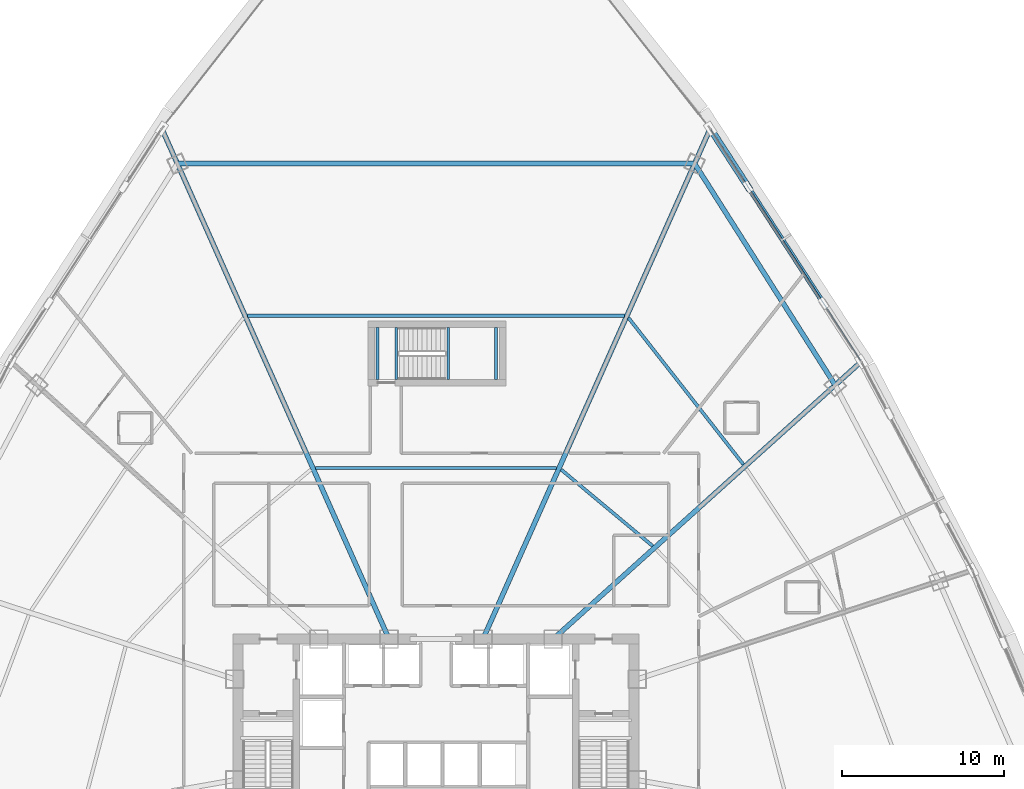
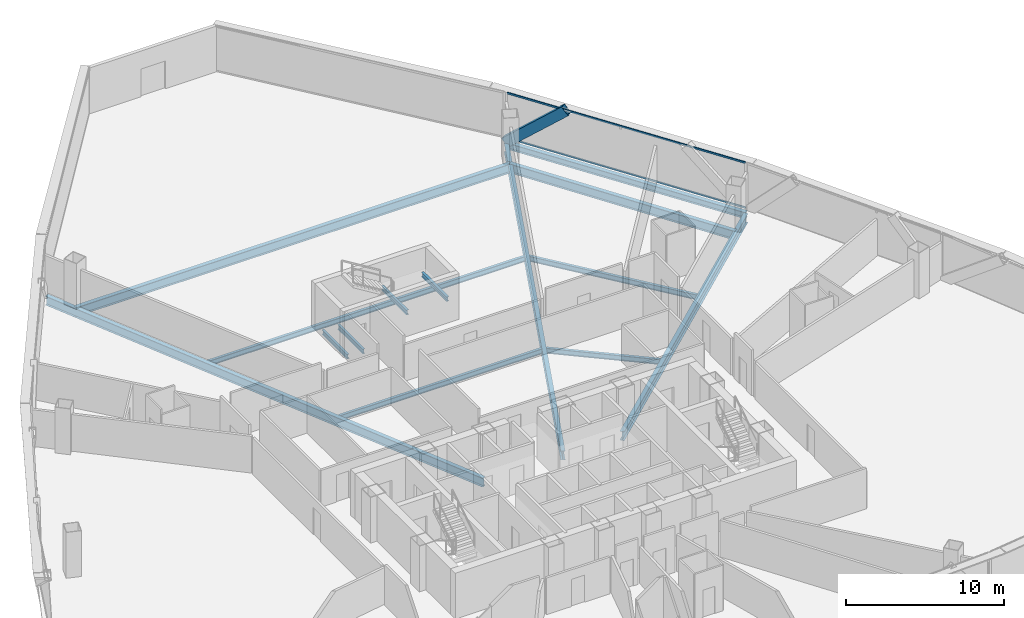
# One storey, part 17 of 38: 14 beams, 3 members, 1 element without a shape of its own.
"""IFC4 building model written with IfcOpenShell, lengths in metres."""

from ifc_helpers import new_model, si_unit, direction, frame, origin, origin_2d, place, context, subcontext, project, spatial, hollow_rectangle, i_section, extrude, source, transform, mapped, material, layer, layer_set, material_profile, profile_set, type_object, element, aggregate, save


model = new_model("IFC4")

# Units and contexts
model_context = context("Model", 3, precision=1e-05, world=origin(), true_north=direction((0.0, 1.0)))
body_context = subcontext(model_context, "Body", "Model", "MODEL_VIEW")
ifc_project = project(units=[si_unit("LENGTHUNIT", "METRE"), si_unit("AREAUNIT", "SQUARE_METRE"), si_unit("VOLUMEUNIT", "CUBIC_METRE"), si_unit("PLANEANGLEUNIT", "RADIAN"), si_unit("MASSUNIT", "GRAM", prefix="KILO"), si_unit("THERMODYNAMICTEMPERATUREUNIT", "KELVIN"), si_unit("POWERUNIT", "WATT")], contexts=[model_context])

# Site, building, storey
site_placement = place(None, origin())
site = spatial("IfcSite", under=ifc_project, at=site_placement, CompositionType="ELEMENT")
building_placement = place(site_placement, origin())
building = spatial("IfcBuilding", under=site, at=building_placement, Name="Yunzhuo Pagoda Commons", CompositionType="ELEMENT")
storey_placement = place(building_placement, frame((0.0, 0.0, 81.179931640625)))
storey = spatial("IfcBuildingStorey", under=building, at=storey_placement, Name="L20", CompositionType="ELEMENT", Elevation=81.179931640625)

# Beams
ifc_material_1 = material(Name="Structural steel Q355B", Category="steel")
ifc_material_profile_1 = material_profile(ifc_material_1, i_section(OverallWidth=0.175048828125, OverallDepth=0.35009765625, WebThickness=0.007080078125, FlangeThickness=0.010986328125, at=origin_2d()), Name="Structural steel Q355B")
ifc_profile_set_1 = profile_set([ifc_material_profile_1], Name="Structural steel Q355B")
beam_type_1 = type_object("IfcBeamType", Name="B-JS2 Joist HN 350x175x7x11", PredefinedType="JOIST", material=ifc_profile_set_1)
shared_shape_1 = source(origin(), body_context, "Body", "SweptSolid", [
    extrude(i_section(OverallWidth=0.175048828125, OverallDepth=0.35009765625, WebThickness=0.007080078125, FlangeThickness=0.010986328125, at=origin_2d()), origin(), (0.0, 0.0, 1.0), 3.199951171875),
])
for number, where, z_axis, x_axis, name in (
    (1, (48.75, 56.199951171875, 1.525146484375), (0.0, 1.0, 0.0), (-1.0, 0.0, 0.0), "L20 ST3 landing support beam 26A"),
    (2, (51.699951171875, 56.199951171875, 1.525146484375), (0.0, 1.0, 0.0), (-1.0, 0.0, 0.0), "L20 ST3 landing support beam 26B"),
    (3, (44.39990234375, 56.199951171875, -0.375), (0.0, 1.0, 0.0), (-1.0, 0.0, 0.0), "L20 ST3 landing support beam 94A"),
    (4, (45.550048828125, 56.199951171875, -0.375), (0.0, 1.0, 0.0), (-1.0, 0.0, 0.0), "L20 ST3 landing support beam 94B"),
):
    element("IfcBeam", number, at=place(storey_placement, frame(where, z_axis=z_axis, x_axis=x_axis)), inside=storey, type_object=beam_type_1, Name=name, PredefinedType="JOIST", context=body_context, shape_type="MappedRepresentation", body=[
        mapped(shared_shape_1, transform((0.0, 0.0, 0.0), scale=1.0)),
    ])
ifc_material_profile_2 = material_profile(ifc_material_1, i_section(OverallWidth=0.300048828125, OverallDepth=0.488037109375, WebThickness=0.010986328125, FlangeThickness=0.01806640625, at=origin_2d()), Name="Structural steel Q355B")
ifc_profile_set_2 = profile_set([ifc_material_profile_2], Name="Structural steel Q355B")
beam_type_2 = type_object("IfcBeamType", Name="B-SP1 Beam HM 488x300x11x18", PredefinedType="BEAM", material=ifc_profile_set_2)
shared_shape_2 = source(origin(), body_context, "Body", "SweptSolid", [
    extrude(i_section(OverallWidth=0.300048828125, OverallDepth=0.488037109375, WebThickness=0.010986328125, FlangeThickness=0.01806640625, at=origin_2d()), origin(), (0.0, 0.0, 1.0), 17.115966796875),
])
beam_1_placement = place(storey_placement, frame((74.2197265625, 57.308349609375, -0.50390625), z_axis=(-0.544271692391, 0.83890900869, 0.0), x_axis=(-0.83890900869, -0.544271692391, 0.0)))
element("IfcBeam", 5, at=beam_1_placement, inside=storey, type_object=beam_type_2, Name="L20 facade edge spandrel beam F2.3", PredefinedType="BEAM", context=body_context, shape_type="MappedRepresentation", body=[
    mapped(shared_shape_2, transform((0.0, 0.0, 0.0), scale=1.0)),
])
ifc_material_profile_3 = material_profile(ifc_material_1, i_section(OverallWidth=0.300048828125, OverallDepth=0.699951171875, WebThickness=0.012939453125, FlangeThickness=0.02392578125, at=origin_2d()), Name="Structural steel Q355B")
ifc_profile_set_3 = profile_set([ifc_material_profile_3], Name="Structural steel Q355B")
beam_type_3 = type_object("IfcBeamType", Name="B-RG1 Beam HN 700x300x13x24", PredefinedType="BEAM", material=ifc_profile_set_3)
shared_shape_3 = source(origin(), body_context, "Body", "SweptSolid", [
    extrude(i_section(OverallWidth=0.300048828125, OverallDepth=0.699951171875, WebThickness=0.012939453125, FlangeThickness=0.02392578125, at=origin_2d()), origin(), (0.0, 0.0, 1.0), 16.16845703125),
])
beam_2_placement = place(storey_placement, frame((72.602783203125, 55.852294921875, -0.60986328125), z_axis=(-0.535695673154, 0.844411123662, 0.0), x_axis=(-0.844411123662, -0.535695673154, 0.0)))
element("IfcBeam", 6, at=beam_2_placement, inside=storey, type_object=beam_type_3, Name="L20 column-ring beam 7", PredefinedType="BEAM", context=body_context, shape_type="MappedRepresentation", body=[
    mapped(shared_shape_3, transform((0.0, 0.0, 0.0), scale=1.0)),
])
shared_shape_4 = source(origin(), body_context, "Body", "SweptSolid", [
    extrude(i_section(OverallWidth=0.300048828125, OverallDepth=0.699951171875, WebThickness=0.012939453125, FlangeThickness=0.02392578125, at=origin_2d()), origin(), (0.0, 0.0, 1.0), 31.8828125),
])
beam_3_placement = place(storey_placement, frame((63.94140625, 69.505126953125, -0.60986328125), z_axis=(-1.0, 0.0, 0.0), x_axis=(0.0, -1.0, 0.0)))
element("IfcBeam", 7, at=beam_3_placement, inside=storey, type_object=beam_type_3, Name="L20 column-ring beam 8", PredefinedType="BEAM", context=body_context, shape_type="MappedRepresentation", body=[
    mapped(shared_shape_4, transform((0.0, 0.0, 0.0), scale=1.0)),
])
shared_shape_5 = source(origin(), body_context, "Body", "SweptSolid", [
    extrude(i_section(OverallWidth=0.300048828125, OverallDepth=0.699951171875, WebThickness=0.012939453125, FlangeThickness=0.02392578125, at=origin_2d()), origin(), (0.0, 0.0, 1.0), 25.4130859375),
])
beam_4_placement = place(storey_placement, frame((74.1044921875, 57.20458984375, -0.60986328125), z_axis=(-0.743143654342, -0.669131907034, 0.0), x_axis=(0.669131907034, -0.743143654342, 0.0)))
element("IfcBeam", 8, at=beam_4_placement, inside=storey, type_object=beam_type_3, Name="L20 radial floor girder F2C3", PredefinedType="BEAM", context=body_context, shape_type="MappedRepresentation", body=[
    mapped(shared_shape_5, transform((0.0, 0.0, 0.0), scale=1.0)),
])
shared_shape_6 = source(origin(), body_context, "Body", "SweptSolid", [
    extrude(i_section(OverallWidth=0.300048828125, OverallDepth=0.699951171875, WebThickness=0.012939453125, FlangeThickness=0.02392578125, at=origin_2d()), origin(), (0.0, 0.0, 1.0), 34.2900390625),
])
beam_5_placement = place(storey_placement, frame((64.84130859375, 71.525390625, -0.60986328125), z_axis=(-0.406743491902, -0.913542408318, 0.0), x_axis=(0.913542408318, -0.406743491902, 0.0)))
element("IfcBeam", 9, at=beam_5_placement, inside=storey, type_object=beam_type_3, Name="L20 radial floor girder F2C4", PredefinedType="BEAM", context=body_context, shape_type="MappedRepresentation", body=[
    mapped(shared_shape_6, transform((0.0, 0.0, 0.0), scale=1.0)),
])
shared_shape_7 = source(origin(), body_context, "Body", "SweptSolid", [
    extrude(i_section(OverallWidth=0.300048828125, OverallDepth=0.699951171875, WebThickness=0.012939453125, FlangeThickness=0.02392578125, at=origin_2d()), origin(), (0.0, 0.0, 1.0), 34.289794921875),
])
beam_6_placement = place(storey_placement, frame((31.1591796875, 71.525390625, -0.60986328125), z_axis=(0.406731607898, -0.913547699432, 0.0), x_axis=(0.913547699432, 0.406731607898, 0.0)))
element("IfcBeam", 10, at=beam_6_placement, inside=storey, type_object=beam_type_3, Name="L20 radial floor girder F3C1", PredefinedType="BEAM", context=body_context, shape_type="MappedRepresentation", body=[
    mapped(shared_shape_7, transform((0.0, 0.0, 0.0), scale=1.0)),
])
ifc_material_profile_4 = material_profile(ifc_material_1, i_section(OverallWidth=0.199951171875, OverallDepth=0.39990234375, WebThickness=0.008056640625, FlangeThickness=0.012939453125, at=origin_2d()), Name="Structural steel Q355B")
ifc_profile_set_4 = profile_set([ifc_material_profile_4], Name="Structural steel Q355B")
beam_type_4 = type_object("IfcBeamType", Name="B-JS1 Joist HN 400x200x8x13", PredefinedType="JOIST", material=ifc_profile_set_4)
shared_shape_8 = source(origin(), body_context, "Body", "SweptSolid", [
    extrude(i_section(OverallWidth=0.199951171875, OverallDepth=0.39990234375, WebThickness=0.008056640625, FlangeThickness=0.012939453125, at=origin_2d()), origin(), (0.0, 0.0, 1.0), 7.350341796875),
])
beam_7_placement = place(storey_placement, frame((61.355224609375, 45.936767578125, -0.4599609375), z_axis=(-0.767589283892, 0.640942034239, 0.0), x_axis=(-0.640942034239, -0.767589283892, 0.0)))
element("IfcBeam", 11, at=beam_7_placement, inside=storey, type_object=beam_type_4, Name="L20 composite ring joist 1.7", PredefinedType="JOIST", context=body_context, shape_type="MappedRepresentation", body=[
    mapped(shared_shape_8, transform((0.0, 0.0, 0.0), scale=1.0)),
])
shared_shape_9 = source(origin(), body_context, "Body", "SweptSolid", [
    extrude(i_section(OverallWidth=0.199951171875, OverallDepth=0.39990234375, WebThickness=0.008056640625, FlangeThickness=0.012939453125, at=origin_2d()), origin(), (0.0, 0.0, 1.0), 11.475830078125),
])
beam_8_placement = place(storey_placement, frame((66.942138671875, 50.96875, -0.4599609375), z_axis=(-0.616739539478, 0.787167288728, 0.0), x_axis=(-0.787167288728, -0.616739539478, 0.0)))
element("IfcBeam", 12, at=beam_8_placement, inside=storey, type_object=beam_type_4, Name="L20 composite ring joist 2.7", PredefinedType="JOIST", context=body_context, shape_type="MappedRepresentation", body=[
    mapped(shared_shape_9, transform((0.0, 0.0, 0.0), scale=1.0)),
])
shared_shape_10 = source(origin(), body_context, "Body", "SweptSolid", [
    extrude(i_section(OverallWidth=0.199951171875, OverallDepth=0.39990234375, WebThickness=0.008056640625, FlangeThickness=0.012939453125, at=origin_2d()), origin(), (0.0, 0.0, 1.0), 14.8642578125),
])
beam_9_placement = place(storey_placement, frame((55.43212890625, 50.749755859375, -0.4599609375), z_axis=(-1.0, 0.0, 0.0), x_axis=(0.0, -1.0, 0.0)))
element("IfcBeam", 13, at=beam_9_placement, inside=storey, type_object=beam_type_4, Name="L20 composite ring joist 1.8", PredefinedType="JOIST", context=body_context, shape_type="MappedRepresentation", body=[
    mapped(shared_shape_10, transform((0.0, 0.0, 0.0), scale=1.0)),
])
shared_shape_11 = source(origin(), body_context, "Body", "SweptSolid", [
    extrude(i_section(OverallWidth=0.199951171875, OverallDepth=0.39990234375, WebThickness=0.008056640625, FlangeThickness=0.012939453125, at=origin_2d()), origin(), (0.0, 0.0, 1.0), 23.21484375),
])
beam_10_placement = place(storey_placement, frame((59.607421875, 60.12744140625, -0.4599609375), z_axis=(-1.0, 0.0, 0.0), x_axis=(0.0, -1.0, 0.0)))
element("IfcBeam", 14, at=beam_10_placement, inside=storey, type_object=beam_type_4, Name="L20 composite ring joist 2.8", PredefinedType="JOIST", context=body_context, shape_type="MappedRepresentation", body=[
    mapped(shared_shape_11, transform((0.0, 0.0, 0.0), scale=1.0)),
])

# Member
ifc_material_2 = material(Name="Structural steel Q420B", Category="steel")
ifc_material_profile_5 = material_profile(ifc_material_2, hollow_rectangle(XDim=0.419921875, YDim=0.719970703125, WallThickness=0.028076171875, at=origin_2d()), Name="Structural steel Q420B")
ifc_profile_set_5 = profile_set([ifc_material_profile_5], Name="Structural steel Q420B")
member_type_1 = type_object("IfcMemberType", Name="M-DL1 Brace BOX 720x420x28", PredefinedType="BRACE", material=ifc_profile_set_5)
shared_shape_12 = source(origin(), body_context, "Body", "SweptSolid", [
    extrude(hollow_rectangle(XDim=0.419921875, YDim=0.719970703125, WallThickness=0.028076171875, at=origin_2d()), origin(), (0.0, 0.0, 1.0), 5.72265625),
])
member_1_placement = place(storey_placement, frame((64.904052734375, 71.6669921875, -0.260009765625), z_axis=(0.406951571428, -0.627257464587, 0.66403199594), x_axis=(0.838911296143, 0.544268166627, 0.0)))
element("IfcMember", 15, at=member_1_placement, inside=storey, type_object=member_type_1, Name="L20 facade diamond brace F2.3R", PredefinedType="BRACE", context=body_context, shape_type="MappedRepresentation", body=[
    mapped(shared_shape_12, transform((0.0, 0.0, 0.0), scale=1.0)),
])

# Curtain wall, members
ifc_material_3 = material(Name="Anodized aluminium 6063-T6", Category="aluminium")
ifc_layer = layer(ifc_material_3, 0.1650390625)
ifc_layer_set = layer_set([ifc_layer], Name="Anodized aluminium 6063-T6")
curtain_wall_type = type_object("IfcCurtainWallType", Name="CW-LOW Low-Zone Ribbon Curtain Wall", PredefinedType="NOTDEFINED", material=ifc_layer_set)
curtain_wall_placement = place(storey_placement, origin())
curtain_wall = element("IfcCurtainWall", 16, at=curtain_wall_placement, inside=storey, type_object=curtain_wall_type, Name="L20 curtain wall CW-L20-F2B4", PredefinedType="NOTDEFINED")
ifc_material_profile_6 = material_profile(ifc_material_3, hollow_rectangle(XDim=0.06005859375, YDim=0.139892578125, WallThickness=0.00341796875, at=origin_2d()), Name="Anodized aluminium 6063-T6")
ifc_profile_set_6 = profile_set([ifc_material_profile_6], Name="Anodized aluminium 6063-T6")
member_type_2 = type_object("IfcMemberType", Name="CW-LOW-T Transom RHS 140x60x3.5", PredefinedType="USERDEFINED", material=ifc_profile_set_6)
shared_shape_13 = source(origin(), body_context, "Body", "SweptSolid", [
    extrude(hollow_rectangle(XDim=0.06005859375, YDim=0.139892578125, WallThickness=0.00341796875, at=origin_2d()), origin(), (0.0, 0.0, 1.0), 16.98583984375),
])
member_2_placement = place(storey_placement, frame((74.184326171875, 57.363037109375, 0.030029296875), z_axis=(-0.544271762736, 0.838908963051, 0.0), x_axis=(-0.838908963051, -0.544271762736, 0.0)))
member_2 = element("IfcMember", 17, at=member_2_placement, type_object=member_type_2, Name="CW transom 1.1", ObjectType="TRANSOM", PredefinedType="USERDEFINED", context=body_context, shape_type="MappedRepresentation", body=[
    mapped(shared_shape_13, transform((0.0, 0.0, 0.0), scale=1.0)),
])
member_3_placement = place(storey_placement, frame((74.184326171875, 57.363037109375, 3.510009765625), z_axis=(-0.544271762736, 0.838908963051, 0.0), x_axis=(-0.838908963051, -0.544271762736, 0.0)))
member_3 = element("IfcMember", 18, at=member_3_placement, type_object=member_type_2, Name="CW transom 1.2", ObjectType="TRANSOM", PredefinedType="USERDEFINED", context=body_context, shape_type="MappedRepresentation", body=[
    mapped(shared_shape_13, transform((0.0, 0.0, 0.0), scale=1.0)),
])
aggregate(curtain_wall, [member_2, member_3])

save(model, "model.ifc")
